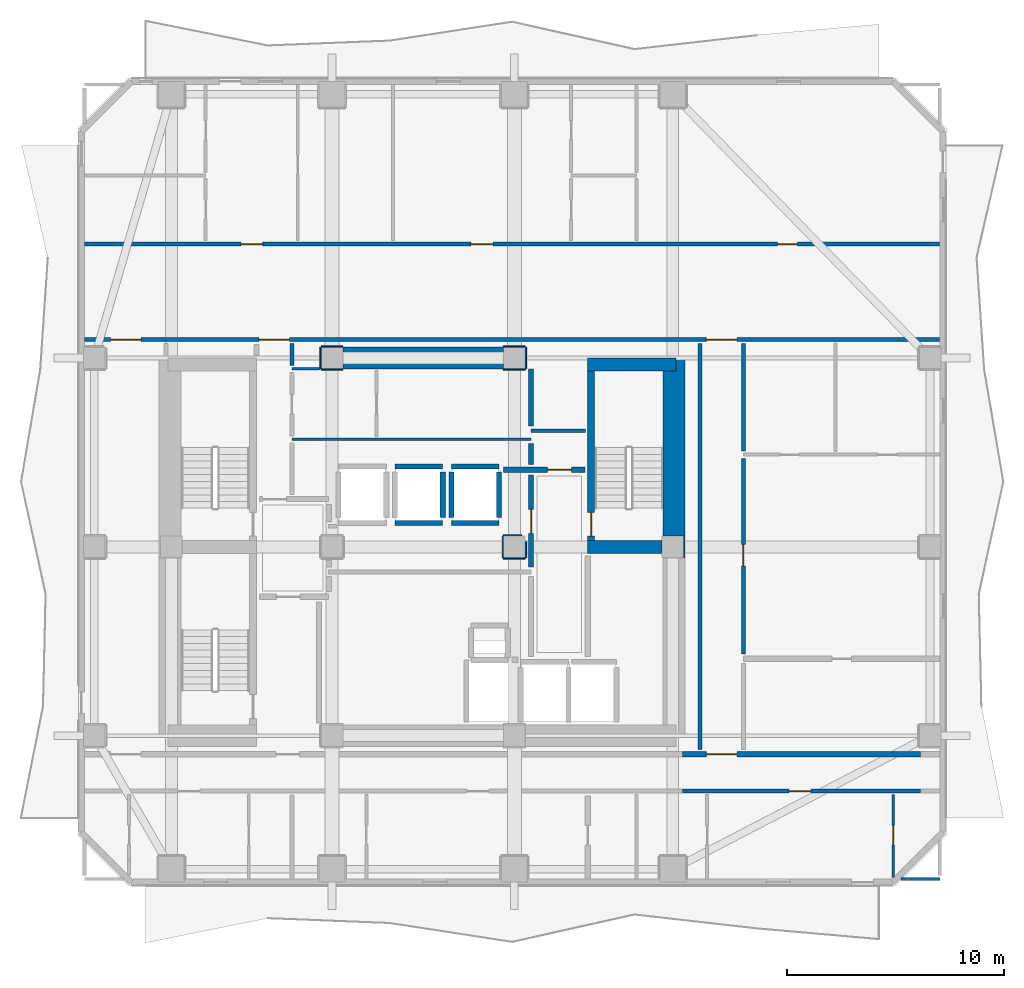
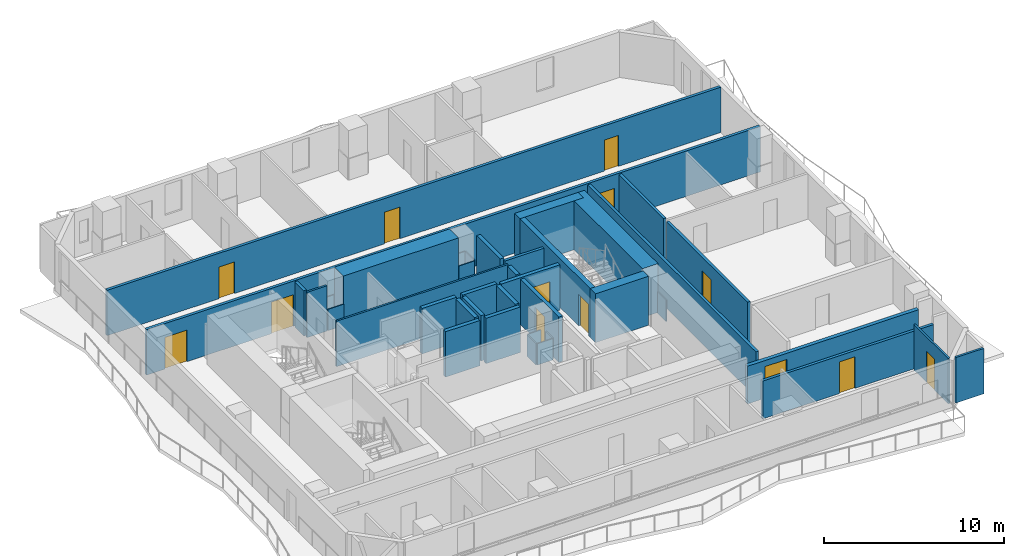
# One storey, part 4 of 9: 40 walls, 13 doors, 13 openings.
"""IFC4 building model written with IfcOpenShell, lengths in metres."""

from ifc_helpers import new_model, si_unit, direction, frame, frame_2d, origin, place, context, subcontext, project, spatial, rectangle, extrude, material, layer, layer_set, type_object, element, fill, save


model = new_model("IFC4")

# Units and contexts
model_context = context("Model", 3, precision=1e-05, world=origin(), true_north=direction((0.0, 1.0)))
body_context = subcontext(model_context, "Body", "Model", "MODEL_VIEW")
ifc_project = project(units=[si_unit("LENGTHUNIT", "METRE"), si_unit("AREAUNIT", "SQUARE_METRE"), si_unit("VOLUMEUNIT", "CUBIC_METRE"), si_unit("PLANEANGLEUNIT", "RADIAN"), si_unit("MASSUNIT", "GRAM", prefix="KILO")], contexts=[model_context])

# Site, building, storey
site_placement = place(None, origin())
site = spatial("IfcSite", under=ifc_project, at=site_placement, CompositionType="ELEMENT")
building_placement = place(site_placement, origin())
building = spatial("IfcBuilding", under=site, at=building_placement, Name="Solanera Arch Residences", CompositionType="ELEMENT")
storey_placement = place(building_placement, frame((0.0, 0.0, 155.8798828125)))
storey = spatial("IfcBuildingStorey", under=building, at=storey_placement, Name="L45", CompositionType="ELEMENT", Elevation=155.8798828125)

# Walls
ifc_material_1 = material(Name="Fire-Rated Gypsum Stud Partition", Category="gypsum")
ifc_layer_1 = layer(ifc_material_1, 0.06005859375)
ifc_layer_set_1 = layer_set([ifc_layer_1], Name="Fire-Rated Gypsum Stud Partition")
wall_type_1 = type_object("IfcWallType", Name="Column Acoustic Furring Wall 60", PredefinedType="PARTITIONING", material=ifc_layer_set_1)
for number, where, z_axis, x_axis, name in (
    (1, (20.300048828125, 38.867919921875, 0.0), (0.0, 0.0, 1.0), (1.0, 0.0, 0.0), "L45 Column Furring 3S"),
    (2, (20.300048828125, 39.931884765625, 0.0), (0.0, 0.0, 1.0), (1.0, 0.0, 0.0), "L45 Column Furring 3N"),
    (3, (20.26806640625, 38.89990234375, 0.0), (0.0, 0.0, 1.0), (0.0, 1.0, 0.0), "L45 Column Furring 3W"),
    (4, (28.699951171875, 38.867919921875, 0.0), (0.0, 0.0, 1.0), (1.0, 0.0, 0.0), "L45 Column Furring 4S"),
    (5, (28.699951171875, 39.931884765625, 0.0), (0.0, 0.0, 1.0), (1.0, 0.0, 0.0), "L45 Column Furring 4N"),
    (6, (29.73193359375, 38.89990234375, 0.0), (0.0, 0.0, 1.0), (0.0, 1.0, 0.0), "L45 Column Furring 4E"),
):
    element("IfcWall", number, at=place(storey_placement, frame(where, z_axis=z_axis, x_axis=x_axis)), inside=storey, type_object=wall_type_1, Name=name, PredefinedType="PARTITIONING", context=body_context, shape_type="SweptSolid", body=[
        extrude(rectangle(XDim=1.0, YDim=0.06005859375, at=frame_2d((0.5, 0.0))), origin(), (0.0, 0.0, 1.0), 1.4501953125),
    ])
wall_1_placement = place(storey_placement, frame((37.031982421875, 30.2099609375, 0.0), z_axis=(0.0, 0.0, 1.0), x_axis=(0.0, 1.0, 0.0)))
element("IfcWall", 7, at=wall_1_placement, inside=storey, type_object=wall_type_1, Name="L45 Column Furring 6E", PredefinedType="PARTITIONING", context=body_context, shape_type="SweptSolid", body=[
    extrude(rectangle(XDim=0.97998046875, YDim=0.06005859375, at=frame_2d((0.489990234375, 0.0))), origin(), (0.0, 0.0, 1.0), 1.4501953125),
])
wall_2_placement = place(storey_placement, frame((28.699951171875, 30.16796875, 0.0), z_axis=(0.0, 0.0, 1.0), x_axis=(1.0, 0.0, 0.0)))
element("IfcWall", 8, at=wall_2_placement, inside=storey, type_object=wall_type_1, Name="L45 Column Furring 8S", PredefinedType="PARTITIONING", context=body_context, shape_type="SweptSolid", body=[
    extrude(rectangle(XDim=1.0, YDim=0.06005859375, at=frame_2d((0.5, 0.0))), origin(), (0.0, 0.0, 1.0), 1.4501953125),
])
wall_3_placement = place(storey_placement, frame((28.699951171875, 31.23193359375, 0.0), z_axis=(0.0, 0.0, 1.0), x_axis=(1.0, 0.0, 0.0)))
element("IfcWall", 9, at=wall_3_placement, inside=storey, type_object=wall_type_1, Name="L45 Column Furring 8N", PredefinedType="PARTITIONING", context=body_context, shape_type="SweptSolid", body=[
    extrude(rectangle(XDim=0.8349609375, YDim=0.06005859375, at=frame_2d((0.41748046875, 0.0))), origin(), (0.0, 0.0, 1.0), 1.4501953125),
])
wall_4_placement = place(storey_placement, frame((28.66796875, 30.199951171875, 0.0), z_axis=(0.0, 0.0, 1.0), x_axis=(0.0, 1.0, 0.0)))
element("IfcWall", 10, at=wall_4_placement, inside=storey, type_object=wall_type_1, Name="L45 Column Furring 8W", PredefinedType="PARTITIONING", context=body_context, shape_type="SweptSolid", body=[
    extrude(rectangle(XDim=1.0, YDim=0.06005859375, at=frame_2d((0.5, 0.0))), origin(), (0.0, 0.0, 1.0), 1.4501953125),
])
wall_5_placement = place(storey_placement, frame((29.73193359375, 30.199951171875, 0.0), z_axis=(0.0, 0.0, 1.0), x_axis=(0.0, 1.0, 0.0)))
element("IfcWall", 11, at=wall_5_placement, inside=storey, type_object=wall_type_1, Name="L45 Column Furring 8E", PredefinedType="PARTITIONING", context=body_context, shape_type="SweptSolid", body=[
    extrude(rectangle(XDim=0.7470703125, YDim=0.06005859375, at=frame_2d((0.37353515625, 0.0))), origin(), (0.0, 0.0, 1.0), 1.4501953125),
])
ifc_material_2 = material(Name="Concrete C55/67 (f'c = 60 MPa)", Category="concrete")
ifc_layer_2 = layer(ifc_material_2, 1.0)
ifc_layer_set_2 = layer_set([ifc_layer_2], Name="Concrete C55/67 (f'c = 60 MPa)")
wall_type_2 = type_object("IfcWallType", Name="Core Shear Wall CW-1000", PredefinedType="SHEAR", material=ifc_layer_set_2)
wall_6_placement = place(storey_placement, frame((36.56005859375, 31.205078125, 0.0), z_axis=(0.0, 0.0, 1.0), x_axis=(0.0, 1.0, 0.0)))
element("IfcWall", 12, at=wall_6_placement, inside=storey, type_object=wall_type_2, Name="L45 East Core North Shear Wall", PredefinedType="SHEAR", context=body_context, shape_type="SweptSolid", body=[
    extrude(rectangle(XDim=8.19482421875, YDim=1.0, at=frame_2d((4.097412109375, 0.0))), origin(), (0.0, 0.0, 1.0), 3.320068359375),
])
wall_7_placement = place(storey_placement, frame((21.304931640625, 39.39990234375, 0.0), z_axis=(0.0, 0.0, 1.0), x_axis=(1.0, 0.0, 0.0)))
element("IfcWall", 13, at=wall_7_placement, inside=storey, type_object=wall_type_2, Name="L45 Central North Core Shear Wall", PredefinedType="SHEAR", context=body_context, shape_type="SweptSolid", body=[
    extrude(rectangle(XDim=7.39013671875, YDim=1.0, at=frame_2d((3.695068359375, 0.0))), origin(), (0.0, 0.0, 1.0), 3.320068359375),
])

# Wall, opening, door
ifc_material_3 = material(Name="Concrete C40/50 (f'c = 45 MPa)", Category="concrete")
ifc_layer_3 = layer(ifc_material_3, 0.320068359375)
ifc_layer_set_3 = layer_set([ifc_layer_3], Name="Concrete C40/50 (f'c = 45 MPa)")
wall_type_3 = type_object("IfcWallType", Name="Core Shear Wall CW-320", PredefinedType="SHEAR", material=ifc_layer_set_3)
wall_8_placement = place(storey_placement, frame((32.739990234375, 31.0, 0.0), z_axis=(0.0, 0.0, 1.0), x_axis=(0.0, 1.0, 0.0)))
wall_8 = element("IfcWall", 14, at=wall_8_placement, inside=storey, type_object=wall_type_3, Name="L45 Stair ST-T2 West Shear Wall", PredefinedType="SHEAR", context=body_context, shape_type="SweptSolid", body=[
    extrude(rectangle(XDim=7.800048828125, YDim=0.320068359375, at=frame_2d((3.89990234375, 0.0))), origin(), (0.0, 0.0, 1.0), 3.320068359375),
])
opening_1_placement = place(wall_8_placement, frame((0.18994140625, 0.0, 0.0)))
opening_1 = element("IfcOpeningElement", 15, at=opening_1_placement, cuts=wall_8, Name="Opening DF-01", PredefinedType="OPENING", context=body_context, shape_type="SweptSolid", body=[
    extrude(rectangle(XDim=1.10009765625, YDim=2.14990234375, at=frame_2d((0.550048828125, 1.074951171875))), frame((0.0, 0.169921875, 0.0), z_axis=(0.0, -1.0, 0.0), x_axis=(1.0, 0.0, 0.0)), (0.0, 0.0, 1.0), 0.3401),
])
ifc_material_4 = material(Name="Fire-Rated Architectural Hardwood", Category="wood")
door_type_1 = type_object("IfcDoorType", Name="Stair Exit Fire Door DF-01", OperationType="NOTDEFINED", PredefinedType="DOOR", material=ifc_material_4)
door_1_placement = place(opening_1_placement, origin())
door_1 = element("IfcDoor", 16, at=door_1_placement, inside=storey, type_object=door_type_1, Name="DR-L45-STAIR-ST-T2", OperationType="SINGLE_SWING_LEFT", OverallHeight=2.14990234375, OverallWidth=1.10009765625, PredefinedType="DOOR", context=body_context, shape_type="SweptSolid", body=[
    extrude(rectangle(XDim=1.10009765625, YDim=2.14990234375, at=frame_2d((0.550048828125, 1.074951171875))), frame((0.0, 0.02490234375, 0.0), z_axis=(0.0, -1.0, 0.0), x_axis=(1.0, 0.0, 0.0)), (0.0, 0.0, 1.0), 0.050048828125),
])
fill(opening_1, door_1)

# Walls
ifc_material_5 = material(Name="Concrete C40/50 (f'c = 45 MPa)", Category="concrete")
ifc_layer_4 = layer(ifc_material_5, 0.60009765625)
ifc_layer_set_4 = layer_set([ifc_layer_4], Name="Concrete C40/50 (f'c = 45 MPa)")
wall_type_4 = type_object("IfcWallType", Name="Core Shear Wall CW-600", PredefinedType="SHEAR", material=ifc_layer_set_4)
wall_9_placement = place(storey_placement, frame((32.580078125, 39.10009765625, 0.0), z_axis=(0.0, 0.0, 1.0), x_axis=(1.0, 0.0, 0.0)))
element("IfcWall", 17, at=wall_9_placement, inside=storey, type_object=wall_type_4, Name="L45 North-East Core Shear Wall", PredefinedType="SHEAR", context=body_context, shape_type="SweptSolid", body=[
    extrude(rectangle(XDim=4.079833984375, YDim=0.60009765625, at=frame_2d((2.0400390625, 0.0))), origin(), (0.0, 0.0, 1.0), 3.320068359375),
])
wall_10_placement = place(storey_placement, frame((32.580078125, 30.699951171875, 0.0), z_axis=(0.0, 0.0, 1.0), x_axis=(1.0, 0.0, 0.0)))
element("IfcWall", 18, at=wall_10_placement, inside=storey, type_object=wall_type_4, Name="L45 East Stair Far-Landing Shear Wall", PredefinedType="SHEAR", context=body_context, shape_type="SweptSolid", body=[
    extrude(rectangle(XDim=3.4150390625, YDim=0.60009765625, at=frame_2d((1.70751953125, 0.0))), origin(), (0.0, 0.0, 1.0), 3.320068359375),
])

# Wall, opening, door
ifc_material_6 = material(Name="Autoclaved Aerated Concrete Blockwork", Category="masonry")
ifc_layer_5 = layer(ifc_material_6, 0.179931640625)
ifc_layer_set_5 = layer_set([ifc_layer_5], Name="Autoclaved Aerated Concrete Blockwork")
wall_type_5 = type_object("IfcWallType", Name="Corridor Fire Partition 180", PredefinedType="PARTITIONING", material=ifc_layer_set_5)
wall_11_placement = place(storey_placement, frame((36.93896484375, 19.449951171875, 0.0), z_axis=(0.0, 0.0, 1.0), x_axis=(1.0, 0.0, 0.0)))
wall_11 = element("IfcWall", 19, at=wall_11_placement, inside=storey, type_object=wall_type_5, Name="L45 Interior Partition H7 2", PredefinedType="PARTITIONING", context=body_context, shape_type="SweptSolid", body=[
    extrude(rectangle(XDim=10.971923828125, YDim=0.179931640625, at=frame_2d((5.48583984375, 0.0))), origin(), (0.0, 0.0, 1.0), 2.565185546875),
])
opening_2_placement = place(wall_11_placement, frame((4.926025390625, 0.0, 0.0)))
opening_2 = element("IfcOpeningElement", 20, at=opening_2_placement, cuts=wall_11, Name="Opening DI-01", PredefinedType="OPENING", context=body_context, shape_type="SweptSolid", body=[
    extrude(rectangle(XDim=1.0, YDim=2.14990234375, at=frame_2d((0.5, 1.074951171875))), frame((0.0, 0.10009765625, 0.0), z_axis=(0.0, -1.0, 0.0), x_axis=(1.0, 0.0, 0.0)), (0.0, 0.0, 1.0), 0.1999),
])
ifc_material_7 = material(Name="Fire-Rated Architectural Hardwood", Category="wood")
door_type_2 = type_object("IfcDoorType", Name="Unit Entrance Fire Door DI-01", OperationType="NOTDEFINED", PredefinedType="DOOR", material=ifc_material_7)
door_2_placement = place(opening_2_placement, origin())
door_2 = element("IfcDoor", 21, at=door_2_placement, inside=storey, type_object=door_type_2, Name="DR-L45-IN-022", OperationType="SINGLE_SWING_LEFT", OverallHeight=2.14990234375, OverallWidth=1.0, PredefinedType="DOOR", context=body_context, shape_type="SweptSolid", body=[
    extrude(rectangle(XDim=1.0, YDim=2.14990234375, at=frame_2d((0.5, 1.074951171875))), frame((0.0, 0.02490234375, 0.0), z_axis=(0.0, -1.0, 0.0), x_axis=(1.0, 0.0, 0.0)), (0.0, 0.0, 1.0), 0.050048828125),
])
fill(opening_2, door_2)

# Wall
wall_12_placement = place(storey_placement, frame((29.97509765625, 36.050048828125, 0.0), z_axis=(0.0, 0.0, 1.0), x_axis=(1.0, 0.0, 0.0)))
element("IfcWall", 22, at=wall_12_placement, inside=storey, type_object=wall_type_5, Name="L45 Interior Partition H10", PredefinedType="PARTITIONING", context=body_context, shape_type="SweptSolid", body=[
    extrude(rectangle(XDim=2.5048828125, YDim=0.179931640625, at=frame_2d((1.25244140625, 0.0))), origin(), (0.0, 0.0, 1.0), 3.080078125),
])

# Wall, openings, doors
wall_13_placement = place(storey_placement, frame((9.406982421875, 40.25, 0.0), z_axis=(0.0, 0.0, 1.0), x_axis=(1.0, 0.0, 0.0)))
wall_13 = element("IfcWall", 23, at=wall_13_placement, inside=storey, type_object=wall_type_5, Name="L45 Interior Partition H11", PredefinedType="PARTITIONING", context=body_context, shape_type="SweptSolid", body=[
    extrude(rectangle(XDim=39.385986328125, YDim=0.179931640625, at=frame_2d((19.69287109375, 0.0))), origin(), (0.0, 0.0, 1.0), 3.080078125),
])
opening_3_placement = place(wall_13_placement, frame((8.028076171875, 0.0, 0.0)))
opening_3 = element("IfcOpeningElement", 24, at=opening_3_placement, cuts=wall_13, Name="Opening DF-03", PredefinedType="OPENING", context=body_context, shape_type="SweptSolid", body=[
    extrude(rectangle(XDim=1.39990234375, YDim=2.14990234375, at=frame_2d((0.699951171875, 1.074951171875))), frame((0.0, 0.10009765625, 0.0), z_axis=(0.0, -1.0, 0.0), x_axis=(1.0, 0.0, 0.0)), (0.0, 0.0, 1.0), 0.1999),
])
opening_4_placement = place(wall_13_placement, frame((1.19189453125, 0.0, 0.0)))
opening_4 = element("IfcOpeningElement", 25, at=opening_4_placement, cuts=wall_13, Name="Opening DF-03", PredefinedType="OPENING", context=body_context, shape_type="SweptSolid", body=[
    extrude(rectangle(XDim=1.39990234375, YDim=2.14990234375, at=frame_2d((0.699951171875, 1.074951171875))), frame((0.0, 0.10009765625, 0.0), z_axis=(0.0, -1.0, 0.0), x_axis=(1.0, 0.0, 0.0)), (0.0, 0.0, 1.0), 0.1999),
])
opening_5_placement = place(wall_13_placement, frame((28.64306640625, 0.0, 0.0)))
opening_5 = element("IfcOpeningElement", 26, at=opening_5_placement, cuts=wall_13, Name="Opening DF-03", PredefinedType="OPENING", context=body_context, shape_type="SweptSolid", body=[
    extrude(rectangle(XDim=1.39990234375, YDim=2.14990234375, at=frame_2d((0.699951171875, 1.074951171875))), frame((0.0, 0.10009765625, 0.0), z_axis=(0.0, -1.0, 0.0), x_axis=(1.0, 0.0, 0.0)), (0.0, 0.0, 1.0), 0.1999),
])
ifc_material_8 = material(Name="Fire-Rated Architectural Hardwood", Category="wood")
door_type_3 = type_object("IfcDoorType", Name="Corridor Smoke Door DF-03", OperationType="NOTDEFINED", PredefinedType="DOOR", material=ifc_material_8)
door_3_placement = place(opening_3_placement, origin())
door_3 = element("IfcDoor", 27, at=door_3_placement, inside=storey, type_object=door_type_3, Name="DR-L45-IN-009", OperationType="SINGLE_SWING_RIGHT", OverallHeight=2.14990234375, OverallWidth=1.39990234375, PredefinedType="DOOR", context=body_context, shape_type="SweptSolid", body=[
    extrude(rectangle(XDim=1.39990234375, YDim=2.14990234375, at=frame_2d((0.699951171875, 1.074951171875))), frame((0.0, 0.02490234375, 0.0), z_axis=(0.0, -1.0, 0.0), x_axis=(1.0, 0.0, 0.0)), (0.0, 0.0, 1.0), 0.050048828125),
])
fill(opening_3, door_3)
door_4_placement = place(opening_4_placement, origin())
door_4 = element("IfcDoor", 28, at=door_4_placement, inside=storey, type_object=door_type_3, Name="DR-L45-IN-012", OperationType="SINGLE_SWING_LEFT", OverallHeight=2.14990234375, OverallWidth=1.39990234375, PredefinedType="DOOR", context=body_context, shape_type="SweptSolid", body=[
    extrude(rectangle(XDim=1.39990234375, YDim=2.14990234375, at=frame_2d((0.699951171875, 1.074951171875))), frame((0.0, 0.02490234375, 0.0), z_axis=(0.0, -1.0, 0.0), x_axis=(1.0, 0.0, 0.0)), (0.0, 0.0, 1.0), 0.050048828125),
])
fill(opening_4, door_4)
door_5_placement = place(opening_5_placement, origin())
door_5 = element("IfcDoor", 29, at=door_5_placement, inside=storey, type_object=door_type_3, Name="DR-L45-IN-013", OperationType="SINGLE_SWING_RIGHT", OverallHeight=2.14990234375, OverallWidth=1.39990234375, PredefinedType="DOOR", context=body_context, shape_type="SweptSolid", body=[
    extrude(rectangle(XDim=1.39990234375, YDim=2.14990234375, at=frame_2d((0.699951171875, 1.074951171875))), frame((0.0, 0.02490234375, 0.0), z_axis=(0.0, -1.0, 0.0), x_axis=(1.0, 0.0, 0.0)), (0.0, 0.0, 1.0), 0.050048828125),
])
fill(opening_5, door_5)

wall_14_placement = place(storey_placement, frame((9.406982421875, 44.64990234375, 0.0), z_axis=(0.0, 0.0, 1.0), x_axis=(1.0, 0.0, 0.0)))
wall_14 = element("IfcWall", 30, at=wall_14_placement, inside=storey, type_object=wall_type_5, Name="L45 Interior Partition H12", PredefinedType="PARTITIONING", context=body_context, shape_type="SweptSolid", body=[
    extrude(rectangle(XDim=39.385986328125, YDim=0.179931640625, at=frame_2d((19.69287109375, 0.0))), origin(), (0.0, 0.0, 1.0), 3.080078125),
])
opening_6_placement = place(wall_14_placement, frame((7.193115234375, 0.0, 0.0)))
opening_6 = element("IfcOpeningElement", 31, at=opening_6_placement, cuts=wall_14, Name="Opening DI-01", PredefinedType="OPENING", context=body_context, shape_type="SweptSolid", body=[
    extrude(rectangle(XDim=1.0, YDim=2.14990234375, at=frame_2d((0.5, 1.074951171875))), frame((0.0, 0.10009765625, 0.0), z_axis=(0.0, -1.0, 0.0), x_axis=(1.0, 0.0, 0.0)), (0.0, 0.0, 1.0), 0.1999),
])
opening_7_placement = place(wall_14_placement, frame((17.80810546875, 0.0, 0.0)))
opening_7 = element("IfcOpeningElement", 32, at=opening_7_placement, cuts=wall_14, Name="Opening DI-01", PredefinedType="OPENING", context=body_context, shape_type="SweptSolid", body=[
    extrude(rectangle(XDim=1.0, YDim=2.14990234375, at=frame_2d((0.5, 1.074951171875))), frame((0.0, 0.10009765625, 0.0), z_axis=(0.0, -1.0, 0.0), x_axis=(1.0, 0.0, 0.0)), (0.0, 0.0, 1.0), 0.1999),
])
opening_8_placement = place(wall_14_placement, frame((31.928955078125, 0.0, 0.0)))
opening_8 = element("IfcOpeningElement", 33, at=opening_8_placement, cuts=wall_14, Name="Opening DI-02", PredefinedType="OPENING", context=body_context, shape_type="SweptSolid", body=[
    extrude(rectangle(XDim=0.89990234375, YDim=2.10009765625, at=frame_2d((0.449951171875, 1.050048828125))), frame((0.0, 0.10009765625, 0.0), z_axis=(0.0, -1.0, 0.0), x_axis=(1.0, 0.0, 0.0)), (0.0, 0.0, 1.0), 0.1999),
])
ifc_material_9 = material(Name="Fire-Rated Architectural Hardwood", Category="wood")
door_type_4 = type_object("IfcDoorType", Name="Suite Room Swing Door DI-02", OperationType="NOTDEFINED", PredefinedType="DOOR", material=ifc_material_9)
door_6_placement = place(opening_8_placement, origin())
door_6 = element("IfcDoor", 34, at=door_6_placement, inside=storey, type_object=door_type_4, Name="DR-L45-IN-032", OperationType="SINGLE_SWING_LEFT", OverallHeight=2.10009765625, OverallWidth=0.89990234375, PredefinedType="DOOR", context=body_context, shape_type="SweptSolid", body=[
    extrude(rectangle(XDim=0.89990234375, YDim=2.10009765625, at=frame_2d((0.449951171875, 1.050048828125))), frame((0.0, 0.02490234375, 0.0), z_axis=(0.0, -1.0, 0.0), x_axis=(1.0, 0.0, 0.0)), (0.0, 0.0, 1.0), 0.050048828125),
])
fill(opening_8, door_6)
door_7_placement = place(opening_6_placement, origin())
door_7 = element("IfcDoor", 35, at=door_7_placement, inside=storey, type_object=door_type_2, Name="DR-L45-IN-025", OperationType="SINGLE_SWING_RIGHT", OverallHeight=2.14990234375, OverallWidth=1.0, PredefinedType="DOOR", context=body_context, shape_type="SweptSolid", body=[
    extrude(rectangle(XDim=1.0, YDim=2.14990234375, at=frame_2d((0.5, 1.074951171875))), frame((0.0, 0.02490234375, 0.0), z_axis=(0.0, -1.0, 0.0), x_axis=(1.0, 0.0, 0.0)), (0.0, 0.0, 1.0), 0.050048828125),
])
fill(opening_6, door_7)
door_8_placement = place(opening_7_placement, origin())
door_8 = element("IfcDoor", 36, at=door_8_placement, inside=storey, type_object=door_type_2, Name="DR-L45-IN-029", OperationType="SINGLE_SWING_RIGHT", OverallHeight=2.14990234375, OverallWidth=1.0, PredefinedType="DOOR", context=body_context, shape_type="SweptSolid", body=[
    extrude(rectangle(XDim=1.0, YDim=2.14990234375, at=frame_2d((0.5, 1.074951171875))), frame((0.0, 0.02490234375, 0.0), z_axis=(0.0, -1.0, 0.0), x_axis=(1.0, 0.0, 0.0)), (0.0, 0.0, 1.0), 0.050048828125),
])
fill(opening_7, door_8)

# Walls
wall_15_placement = place(storey_placement, frame((18.949951171875, 39.05810546875, 0.0), z_axis=(0.0, 0.0, 1.0), x_axis=(0.0, 1.0, 0.0)))
element("IfcWall", 37, at=wall_15_placement, inside=storey, type_object=wall_type_5, Name="L45 Interior Partition V10 3", PredefinedType="PARTITIONING", context=body_context, shape_type="SweptSolid", body=[
    extrude(rectangle(XDim=1.00390625, YDim=0.179931640625, at=frame_2d((0.501953125, 0.0))), origin(), (0.0, 0.0, 1.0), 3.080078125),
])
wall_16_placement = place(storey_placement, frame((37.75, 21.367919921875, 0.0), z_axis=(0.0, 0.0, 1.0), x_axis=(0.0, 1.0, 0.0)))
element("IfcWall", 38, at=wall_16_placement, inside=storey, type_object=wall_type_5, Name="L45 Interior Partition V12", PredefinedType="PARTITIONING", context=body_context, shape_type="SweptSolid", body=[
    extrude(rectangle(XDim=18.694091796875, YDim=0.179931640625, at=frame_2d((9.34716796875, 0.0))), origin(), (0.0, 0.0, 1.0), 3.080078125),
])

# Wall, opening, door
wall_17_placement = place(storey_placement, frame((39.75, 25.76806640625, 0.0), z_axis=(0.0, 0.0, 1.0), x_axis=(0.0, 1.0, 0.0)))
wall_17 = element("IfcWall", 39, at=wall_17_placement, inside=storey, type_object=wall_type_5, Name="L45 Interior Partition V13 2", PredefinedType="PARTITIONING", context=body_context, shape_type="SweptSolid", body=[
    extrude(rectangle(XDim=9.013916015625, YDim=0.179931640625, at=frame_2d((4.5068359375, 0.0))), origin(), (0.0, 0.0, 1.0), 3.080078125),
])
opening_9_placement = place(wall_17_placement, frame((4.041015625, 0.0, 0.0)))
opening_9 = element("IfcOpeningElement", 40, at=opening_9_placement, cuts=wall_17, Name="Opening DI-01", PredefinedType="OPENING", context=body_context, shape_type="SweptSolid", body=[
    extrude(rectangle(XDim=1.0, YDim=2.14990234375, at=frame_2d((0.5, 1.074951171875))), frame((0.0, 0.10009765625, 0.0), z_axis=(0.0, -1.0, 0.0), x_axis=(1.0, 0.0, 0.0)), (0.0, 0.0, 1.0), 0.1999),
])
door_9_placement = place(opening_9_placement, origin())
door_9 = element("IfcDoor", 41, at=door_9_placement, inside=storey, type_object=door_type_2, Name="DR-L45-IN-033", OperationType="SINGLE_SWING_RIGHT", OverallHeight=2.14990234375, OverallWidth=1.0, PredefinedType="DOOR", context=body_context, shape_type="SweptSolid", body=[
    extrude(rectangle(XDim=1.0, YDim=2.14990234375, at=frame_2d((0.5, 1.074951171875))), frame((0.0, 0.02490234375, 0.0), z_axis=(0.0, -1.0, 0.0), x_axis=(1.0, 0.0, 0.0)), (0.0, 0.0, 1.0), 0.050048828125),
])
fill(opening_9, door_9)

# Walls
wall_18_placement = place(storey_placement, frame((39.75, 35.117919921875, 0.0), z_axis=(0.0, 0.0, 1.0), x_axis=(0.0, 1.0, 0.0)))
element("IfcWall", 42, at=wall_18_placement, inside=storey, type_object=wall_type_5, Name="L45 Interior Partition V13 3", PredefinedType="PARTITIONING", context=body_context, shape_type="SweptSolid", body=[
    extrude(rectangle(XDim=4.944091796875, YDim=0.179931640625, at=frame_2d((2.47216796875, 0.0))), origin(), (0.0, 0.0, 1.0), 3.080078125),
])
ifc_material_10 = material(Name="Autoclaved Aerated Concrete Blockwork", Category="masonry")
ifc_layer_6 = layer(ifc_material_10, 0.239990234375)
ifc_layer_set_6 = layer_set([ifc_layer_6], Name="Autoclaved Aerated Concrete Blockwork")
wall_type_6 = type_object("IfcWallType", Name="Shaft Wall Fire-Rated 240", PredefinedType="PARTITIONING", material=ifc_layer_set_6)
for number, where, z_axis, x_axis, name in (
    (43, (23.699951171875, 31.800048828125, 0.0), (0.0, 0.0, 1.0), (1.0, 0.0, 0.0), "L45 Lift PL-M2 Hoistway Wall S"),
    (44, (23.699951171875, 34.39990234375, 0.0), (0.0, 0.0, 1.0), (1.0, 0.0, 0.0), "L45 Lift PL-M2 Hoistway Wall N"),
):
    element("IfcWall", number, at=place(storey_placement, frame(where, z_axis=z_axis, x_axis=x_axis)), inside=storey, type_object=wall_type_6, Name=name, PredefinedType="PARTITIONING", context=body_context, shape_type="SweptSolid", body=[
        extrude(rectangle(XDim=2.199951171875, YDim=0.239990234375, at=frame_2d((1.10009765625, 0.0))), origin(), (0.0, 0.0, 1.0), 3.080078125),
    ])
wall_19_placement = place(storey_placement, frame((25.89990234375, 32.048095703125, 0.0), z_axis=(0.0, 0.0, 1.0), x_axis=(0.0, 1.0, 0.0)))
element("IfcWall", 45, at=wall_19_placement, inside=storey, type_object=wall_type_6, Name="L45 Lift PL-M2 Hoistway Wall E", PredefinedType="PARTITIONING", context=body_context, shape_type="SweptSolid", body=[
    extrude(rectangle(XDim=2.10400390625, YDim=0.239990234375, at=frame_2d((1.052001953125, 0.0))), origin(), (0.0, 0.0, 1.0), 3.080078125),
])
for number, where, z_axis, x_axis, name in (
    (46, (26.300048828125, 31.800048828125, 0.0), (0.0, 0.0, 1.0), (1.0, 0.0, 0.0), "L45 Lift PL-M3 Hoistway Wall S"),
    (47, (26.300048828125, 34.39990234375, 0.0), (0.0, 0.0, 1.0), (1.0, 0.0, 0.0), "L45 Lift PL-M3 Hoistway Wall N"),
):
    element("IfcWall", number, at=place(storey_placement, frame(where, z_axis=z_axis, x_axis=x_axis)), inside=storey, type_object=wall_type_6, Name=name, PredefinedType="PARTITIONING", context=body_context, shape_type="SweptSolid", body=[
        extrude(rectangle(XDim=2.199951171875, YDim=0.239990234375, at=frame_2d((1.10009765625, 0.0))), origin(), (0.0, 0.0, 1.0), 3.080078125),
    ])
for number, where, z_axis, x_axis, name in (
    (48, (26.300048828125, 32.048095703125, 0.0), (0.0, 0.0, 1.0), (0.0, 1.0, 0.0), "L45 Lift PL-M3 Hoistway Wall W"),
    (49, (28.5, 32.048095703125, 0.0), (0.0, 0.0, 1.0), (0.0, 1.0, 0.0), "L45 Lift PL-M3 Hoistway Wall E"),
):
    element("IfcWall", number, at=place(storey_placement, frame(where, z_axis=z_axis, x_axis=x_axis)), inside=storey, type_object=wall_type_6, Name=name, PredefinedType="PARTITIONING", context=body_context, shape_type="SweptSolid", body=[
        extrude(rectangle(XDim=2.10400390625, YDim=0.239990234375, at=frame_2d((1.052001953125, 0.0))), origin(), (0.0, 0.0, 1.0), 3.080078125),
    ])

# Wall, opening, door
wall_20_placement = place(storey_placement, frame((36.93896484375, 21.14990234375, 0.0), z_axis=(0.0, 0.0, 1.0), x_axis=(1.0, 0.0, 0.0)))
wall_20 = element("IfcWall", 50, at=wall_20_placement, inside=storey, type_object=wall_type_6, Name="L45 Interior Partition H1 2", PredefinedType="PARTITIONING", context=body_context, shape_type="SweptSolid", body=[
    extrude(rectangle(XDim=10.971923828125, YDim=0.239990234375, at=frame_2d((5.48583984375, 0.0))), origin(), (0.0, 0.0, 1.0), 2.565185546875),
])
opening_10_placement = place(wall_20_placement, frame((1.111083984375, 0.0, 0.0)))
opening_10 = element("IfcOpeningElement", 51, at=opening_10_placement, cuts=wall_20, Name="Opening DF-03", PredefinedType="OPENING", context=body_context, shape_type="SweptSolid", body=[
    extrude(rectangle(XDim=1.39990234375, YDim=2.14990234375, at=frame_2d((0.699951171875, 1.074951171875))), frame((0.0, 0.1298828125, 0.0), z_axis=(0.0, -1.0, 0.0), x_axis=(1.0, 0.0, 0.0)), (0.0, 0.0, 1.0), 0.26),
])
door_10_placement = place(opening_10_placement, origin())
door_10 = element("IfcDoor", 52, at=door_10_placement, inside=storey, type_object=door_type_3, Name="DR-L45-IN-011", OperationType="SINGLE_SWING_RIGHT", OverallHeight=2.14990234375, OverallWidth=1.39990234375, PredefinedType="DOOR", context=body_context, shape_type="SweptSolid", body=[
    extrude(rectangle(XDim=1.39990234375, YDim=2.14990234375, at=frame_2d((0.699951171875, 1.074951171875))), frame((0.0, 0.02490234375, 0.0), z_axis=(0.0, -1.0, 0.0), x_axis=(1.0, 0.0, 0.0)), (0.0, 0.0, 1.0), 0.050048828125),
])
fill(opening_10, door_10)

wall_21_placement = place(storey_placement, frame((28.701904296875, 34.25, 0.0), z_axis=(0.0, 0.0, 1.0), x_axis=(1.0, 0.0, 0.0)))
wall_21 = element("IfcWall", 53, at=wall_21_placement, inside=storey, type_object=wall_type_6, Name="L45 Interior Partition H6", PredefinedType="PARTITIONING", context=body_context, shape_type="SweptSolid", body=[
    extrude(rectangle(XDim=3.748046875, YDim=0.239990234375, at=frame_2d((1.8740234375, 0.0))), origin(), (0.0, 0.0, 1.0), 3.080078125),
])
opening_11_placement = place(wall_21_placement, frame((2.02490234375, 0.0, 0.0)))
opening_11 = element("IfcOpeningElement", 54, at=opening_11_placement, cuts=wall_21, Name="Opening DF-02", PredefinedType="OPENING", context=body_context, shape_type="SweptSolid", body=[
    extrude(rectangle(XDim=1.10009765625, YDim=2.14990234375, at=frame_2d((0.550048828125, 1.074951171875))), frame((0.0, 0.1298828125, 0.0), z_axis=(0.0, -1.0, 0.0), x_axis=(1.0, 0.0, 0.0)), (0.0, 0.0, 1.0), 0.26),
])
ifc_material_11 = material(Name="Fire-Rated Architectural Hardwood", Category="wood")
door_type_5 = type_object("IfcDoorType", Name="Firefighting Lobby Fire Door DF-02", OperationType="NOTDEFINED", PredefinedType="DOOR", material=ifc_material_11)
door_11_placement = place(opening_11_placement, origin())
door_11 = element("IfcDoor", 55, at=door_11_placement, inside=storey, type_object=door_type_5, Name="DR-L45-IN-007", OperationType="SINGLE_SWING_RIGHT", OverallHeight=2.14990234375, OverallWidth=1.10009765625, PredefinedType="DOOR", context=body_context, shape_type="SweptSolid", body=[
    extrude(rectangle(XDim=1.10009765625, YDim=2.14990234375, at=frame_2d((0.550048828125, 1.074951171875))), frame((0.0, 0.02490234375, 0.0), z_axis=(0.0, -1.0, 0.0), x_axis=(1.0, 0.0, 0.0)), (0.0, 0.0, 1.0), 0.050048828125),
])
fill(opening_11, door_11)

wall_22_placement = place(storey_placement, frame((29.97509765625, 29.76806640625, 0.0), z_axis=(0.0, 0.0, 1.0), x_axis=(0.0, 1.0, 0.0)))
wall_22 = element("IfcWall", 56, at=wall_22_placement, inside=storey, type_object=wall_type_6, Name="L45 Interior Partition V4 2", PredefinedType="PARTITIONING", context=body_context, shape_type="SweptSolid", body=[
    extrude(rectangle(XDim=4.23388671875, YDim=0.239990234375, at=frame_2d((2.116943359375, 0.0))), origin(), (0.0, 0.0, 1.0), 3.080078125),
])
opening_12_placement = place(wall_22_placement, frame((1.556884765625, 0.0, 0.0)))
opening_12 = element("IfcOpeningElement", 57, at=opening_12_placement, cuts=wall_22, Name="Opening DF-02", PredefinedType="OPENING", context=body_context, shape_type="SweptSolid", body=[
    extrude(rectangle(XDim=1.10009765625, YDim=2.14990234375, at=frame_2d((0.550048828125, 1.074951171875))), frame((0.0, 0.1298828125, 0.0), z_axis=(0.0, -1.0, 0.0), x_axis=(1.0, 0.0, 0.0)), (0.0, 0.0, 1.0), 0.26),
])
door_12_placement = place(opening_12_placement, origin())
door_12 = element("IfcDoor", 58, at=door_12_placement, inside=storey, type_object=door_type_5, Name="DR-L45-IN-006", OperationType="SINGLE_SWING_LEFT", OverallHeight=2.14990234375, OverallWidth=1.10009765625, PredefinedType="DOOR", context=body_context, shape_type="SweptSolid", body=[
    extrude(rectangle(XDim=1.10009765625, YDim=2.14990234375, at=frame_2d((0.550048828125, 1.074951171875))), frame((0.0, 0.02490234375, 0.0), z_axis=(0.0, -1.0, 0.0), x_axis=(1.0, 0.0, 0.0)), (0.0, 0.0, 1.0), 0.050048828125),
])
fill(opening_12, door_12)

# Walls
wall_23_placement = place(storey_placement, frame((29.97509765625, 34.498046875, 0.0), z_axis=(0.0, 0.0, 1.0), x_axis=(0.0, 1.0, 0.0)))
element("IfcWall", 59, at=wall_23_placement, inside=storey, type_object=wall_type_6, Name="L45 Interior Partition V4 3", PredefinedType="PARTITIONING", context=body_context, shape_type="SweptSolid", body=[
    extrude(rectangle(XDim=0.9638671875, YDim=0.239990234375, at=frame_2d((0.48193359375, 0.0))), origin(), (0.0, 0.0, 1.0), 3.080078125),
])
wall_24_placement = place(storey_placement, frame((29.97509765625, 36.26806640625, 0.0), z_axis=(0.0, 0.0, 1.0), x_axis=(0.0, 1.0, 0.0)))
element("IfcWall", 60, at=wall_24_placement, inside=storey, type_object=wall_type_6, Name="L45 Interior Partition V4 4", PredefinedType="PARTITIONING", context=body_context, shape_type="SweptSolid", body=[
    extrude(rectangle(XDim=2.6318359375, YDim=0.239990234375, at=frame_2d((1.31591796875, 0.0))), origin(), (0.0, 0.0, 1.0), 3.080078125),
])
ifc_material_12 = material(Name="Fire-Rated Gypsum Stud Partition", Category="gypsum")
ifc_layer_7 = layer(ifc_material_12, 0.1201171875)
ifc_layer_set_7 = layer_set([ifc_layer_7], Name="Fire-Rated Gypsum Stud Partition")
wall_type_7 = type_object("IfcWallType", Name="Unit Drywall Partition 120", PredefinedType="PARTITIONING", material=ifc_layer_set_7)
wall_25_placement = place(storey_placement, frame((18.949951171875, 35.64990234375, 0.0), z_axis=(0.0, 0.0, 1.0), x_axis=(1.0, 0.0, 0.0)))
element("IfcWall", 61, at=wall_25_placement, inside=storey, type_object=wall_type_7, Name="L45 Interior Partition H18", PredefinedType="PARTITIONING", context=body_context, shape_type="SweptSolid", body=[
    extrude(rectangle(XDim=11.025146484375, YDim=0.1201171875, at=frame_2d((5.5126953125, 0.0))), origin(), (0.0, 0.0, 1.0), 3.080078125),
])
wall_26_placement = place(storey_placement, frame((18.949951171875, 38.89990234375, 0.0), z_axis=(0.0, 0.0, 1.0), x_axis=(1.0, 0.0, 0.0)))
element("IfcWall", 62, at=wall_26_placement, inside=storey, type_object=wall_type_7, Name="L45 Interior Partition H19", PredefinedType="PARTITIONING", context=body_context, shape_type="SweptSolid", body=[
    extrude(rectangle(XDim=1.278076171875, YDim=0.1201171875, at=frame_2d((0.63916015625, 0.0))), origin(), (0.0, 0.0, 1.0), 3.080078125),
])

# Wall, opening, door
wall_27_placement = place(storey_placement, frame((46.64990234375, 15.47509765625, 0.0), z_axis=(0.0, 0.0, 1.0), x_axis=(0.0, 1.0, 0.0)))
wall_27 = element("IfcWall", 63, at=wall_27_placement, inside=storey, type_object=wall_type_7, Name="L45 Interior Partition V27", PredefinedType="PARTITIONING", context=body_context, shape_type="SweptSolid", body=[
    extrude(rectangle(XDim=3.81689453125, YDim=0.1201171875, at=frame_2d((1.908447265625, 0.0))), origin(), (0.0, 0.0, 1.0), 3.080078125),
])
opening_13_placement = place(wall_27_placement, frame((1.5, 0.0, 0.0)))
opening_13 = element("IfcOpeningElement", 64, at=opening_13_placement, cuts=wall_27, Name="Opening DI-02", PredefinedType="OPENING", context=body_context, shape_type="SweptSolid", body=[
    extrude(rectangle(XDim=0.89990234375, YDim=2.10009765625, at=frame_2d((0.449951171875, 1.050048828125))), frame((0.0, 0.070068359375, 0.0), z_axis=(0.0, -1.0, 0.0), x_axis=(1.0, 0.0, 0.0)), (0.0, 0.0, 1.0), 0.1401),
])
door_13_placement = place(opening_13_placement, origin())
door_13 = element("IfcDoor", 65, at=door_13_placement, inside=storey, type_object=door_type_4, Name="DR-L45-IN-024", OperationType="SINGLE_SWING_LEFT", OverallHeight=2.10009765625, OverallWidth=0.89990234375, PredefinedType="DOOR", context=body_context, shape_type="SweptSolid", body=[
    extrude(rectangle(XDim=0.89990234375, YDim=2.10009765625, at=frame_2d((0.449951171875, 1.050048828125))), frame((0.0, 0.02490234375, 0.0), z_axis=(0.0, -1.0, 0.0), x_axis=(1.0, 0.0, 0.0)), (0.0, 0.0, 1.0), 0.050048828125),
])
fill(opening_13, door_13)

# Wall
ifc_material_13 = material(Name="Autoclaved Aerated Concrete Blockwork", Category="masonry")
ifc_layer_8 = layer(ifc_material_13, 0.139892578125)
ifc_layer_set_8 = layer_set([ifc_layer_8], Name="Autoclaved Aerated Concrete Blockwork")
wall_type_8 = type_object("IfcWallType", Name="Wet-Room Partition 140", PredefinedType="PARTITIONING", material=ifc_layer_set_8)
wall_28_placement = place(storey_placement, frame((47.0048828125, 15.39990234375, 0.0), z_axis=(0.0, 0.0, 1.0), x_axis=(1.0, 0.0, 0.0)))
element("IfcWall", 66, at=wall_28_placement, inside=storey, type_object=wall_type_8, Name="L45 Interior Partition H13 2", PredefinedType="PARTITIONING", context=body_context, shape_type="SweptSolid", body=[
    extrude(rectangle(XDim=1.795166015625, YDim=0.139892578125, at=frame_2d((0.8974609375, 0.0))), origin(), (0.0, 0.0, 1.0), 3.080078125),
])

save(model, "model.ifc")
